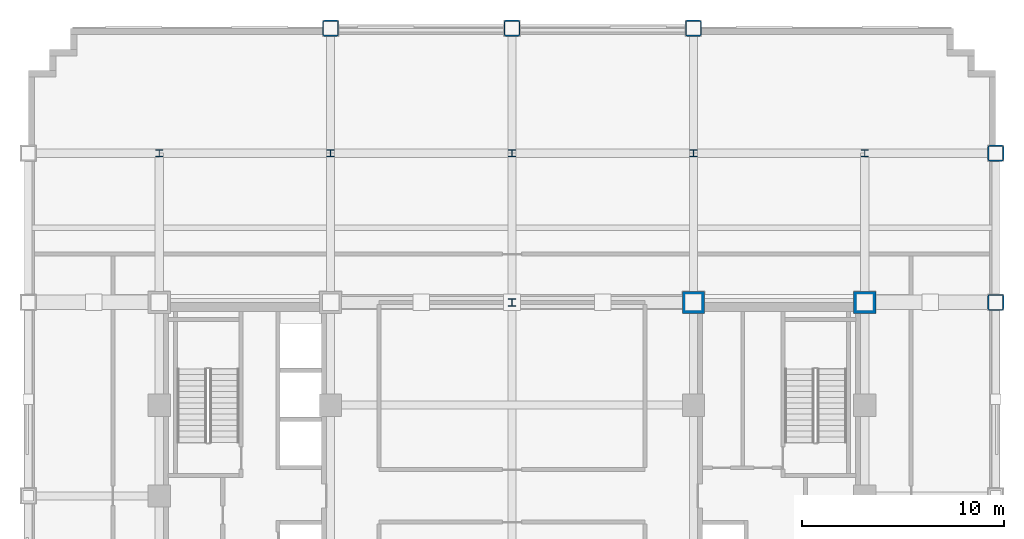
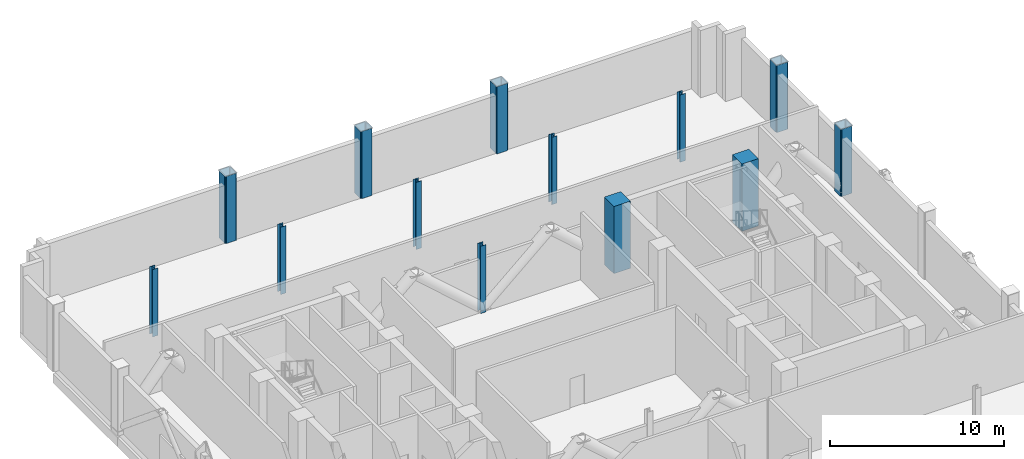
# One storey, part 3 of 12: 13 columns.
"""IFC4 building model written with IfcOpenShell, lengths in metres."""

from ifc_helpers import new_model, si_unit, direction, frame, origin, origin_2d, place, context, subcontext, project, spatial, rectangle, hollow_rectangle, i_section, extrude, material, material_profile, profile_set, type_object, element, save


model = new_model("IFC4")

# Units and contexts
model_context = context("Model", 3, precision=1e-05, world=origin(), true_north=direction((0.0, 1.0)))
body_context = subcontext(model_context, "Body", "Model", "MODEL_VIEW")
ifc_project = project(units=[si_unit("LENGTHUNIT", "METRE"), si_unit("AREAUNIT", "SQUARE_METRE"), si_unit("VOLUMEUNIT", "CUBIC_METRE"), si_unit("PLANEANGLEUNIT", "RADIAN"), si_unit("MASSUNIT", "GRAM", prefix="KILO")], contexts=[model_context])

# Site, building, storey
site_placement = place(None, origin())
site = spatial("IfcSite", under=ifc_project, at=site_placement, CompositionType="ELEMENT")
building_placement = place(site_placement, origin())
building = spatial("IfcBuilding", under=site, at=building_placement, Name="Nuvemarco Arch Tower", CompositionType="ELEMENT")
storey_placement = place(building_placement, frame((0.0, 0.0, 93.300048828125)))
storey = spatial("IfcBuildingStorey", under=building, at=storey_placement, Name="L24", CompositionType="ELEMENT", Elevation=93.300048828125)

# Columns
ifc_material_1 = material(Name="Concrete C60/75", Category="concrete")
ifc_material_profile_1 = material_profile(ifc_material_1, rectangle(XDim=1.10009765625, YDim=1.10009765625, at=origin_2d()), Name="RC-COL-1100x1100")
ifc_profile_set_1 = profile_set([ifc_material_profile_1], Name="Concrete C60/75")
column_type_1 = type_object("IfcColumnType", Name="COL-CORE-1100", PredefinedType="COLUMN", material=ifc_profile_set_1)
for number, where, z_axis, x_axis, name in (
    (1, (9.0, 9.60009765625, 0.0), (0.0, 0.0, 1.0), (1.0, 0.0, 0.0), "L24 column CC_+9.0_+9.6"),
    (2, (17.5, 9.60009765625, 0.0), (0.0, 0.0, 1.0), (1.0, 0.0, 0.0), "L24 column CC_+17.5_+9.6"),
):
    element("IfcColumn", number, at=place(storey_placement, frame(where, z_axis=z_axis, x_axis=x_axis)), inside=storey, type_object=column_type_1, Name=name, PredefinedType="COLUMN", context=body_context, shape_type="SweptSolid", body=[
        extrude(rectangle(XDim=1.10009765625, YDim=1.10009765625, at=origin_2d()), origin(), (0.0, 0.0, 1.0), 4.719970703125),
    ])
ifc_material_2 = material(Name="Steel S460", Category="steel")
ifc_material_profile_2 = material_profile(ifc_material_2, hollow_rectangle(XDim=0.800048828125, YDim=0.800048828125, WallThickness=0.054931640625, InnerFilletRadius=0.054931640625, OuterFilletRadius=0.110107421875, at=origin_2d()), Name="SHS800x800x55")
ifc_profile_set_2 = profile_set([ifc_material_profile_2], Name="Steel S460")
column_type_2 = type_object("IfcColumnType", Name="COL-EXO-800", PredefinedType="COLUMN", material=ifc_profile_set_2)
for number, where, z_axis, x_axis, name in (
    (3, (24.0, 9.60009765625, 0.0), (0.0, 0.0, 1.0), (1.0, 0.0, 0.0), "L24 column CX_+24.0_+9.6"),
    (4, (24.0, 17.0, 0.0), (0.0, 0.0, 1.0), (1.0, 0.0, 0.0), "L24 column CX_+24.0_+17.0"),
    (5, (-9.0, 23.199951171875, 0.0), (0.0, 0.0, 1.0), (1.0, 0.0, 0.0), "L24 column CY_-9.0_+23.2"),
    (6, (0.0, 23.199951171875, 0.0), (0.0, 0.0, 1.0), (1.0, 0.0, 0.0), "L24 column CY_+0.0_+23.2"),
    (7, (9.0, 23.199951171875, 0.0), (0.0, 0.0, 1.0), (1.0, 0.0, 0.0), "L24 column CY_+9.0_+23.2"),
):
    element("IfcColumn", number, at=place(storey_placement, frame(where, z_axis=z_axis, x_axis=x_axis)), inside=storey, type_object=column_type_2, Name=name, PredefinedType="COLUMN", context=body_context, shape_type="SweptSolid", body=[
        extrude(hollow_rectangle(XDim=0.800048828125, YDim=0.800048828125, WallThickness=0.054931640625, InnerFilletRadius=0.054931640625, OuterFilletRadius=0.110107421875, at=origin_2d()), origin(), (0.0, 0.0, 1.0), 4.719970703125),
    ])
ifc_material_3 = material(Name="Steel S355", Category="steel")
ifc_material_profile_3 = material_profile(ifc_material_3, i_section(OverallWidth=0.360107421875, OverallDepth=0.360107421875, WebThickness=0.0205078125, FlangeThickness=0.0205078125, FilletRadius=0.01806640625, at=origin_2d()), Name="HP360x174")
ifc_profile_set_3 = profile_set([ifc_material_profile_3], Name="Steel S355")
column_type_3 = type_object("IfcColumnType", Name="COL-STL-HP360", PredefinedType="COLUMN", material=ifc_profile_set_3)
for number, where, z_axis, x_axis, name in (
    (8, (0.0, 9.60009765625, 0.0), (0.0, 0.0, 1.0), (1.0, 0.0, 0.0), "L24 column CI_+0.0_+9.6"),
    (9, (0.0, 17.0, 0.0), (0.0, 0.0, 1.0), (1.0, 0.0, 0.0), "L24 column CI_+0.0_+17.0"),
    (10, (-17.5, 17.0, 0.0), (0.0, 0.0, 1.0), (1.0, 0.0, 0.0), "L24 column CI_-17.5_+17.0"),
    (11, (-9.0, 17.0, 0.0), (0.0, 0.0, 1.0), (1.0, 0.0, 0.0), "L24 column CI_-9.0_+17.0"),
    (12, (9.0, 17.0, 0.0), (0.0, 0.0, 1.0), (1.0, 0.0, 0.0), "L24 column CI_+9.0_+17.0"),
    (13, (17.5, 17.0, 0.0), (0.0, 0.0, 1.0), (1.0, 0.0, 0.0), "L24 column CI_+17.5_+17.0"),
):
    element("IfcColumn", number, at=place(storey_placement, frame(where, z_axis=z_axis, x_axis=x_axis)), inside=storey, type_object=column_type_3, Name=name, PredefinedType="COLUMN", context=body_context, shape_type="SweptSolid", body=[
        extrude(i_section(OverallWidth=0.360107421875, OverallDepth=0.360107421875, WebThickness=0.0205078125, FlangeThickness=0.0205078125, FilletRadius=0.01806640625, at=origin_2d()), origin(), (0.0, 0.0, 1.0), 4.719970703125),
    ])

save(model, "model.ifc")
